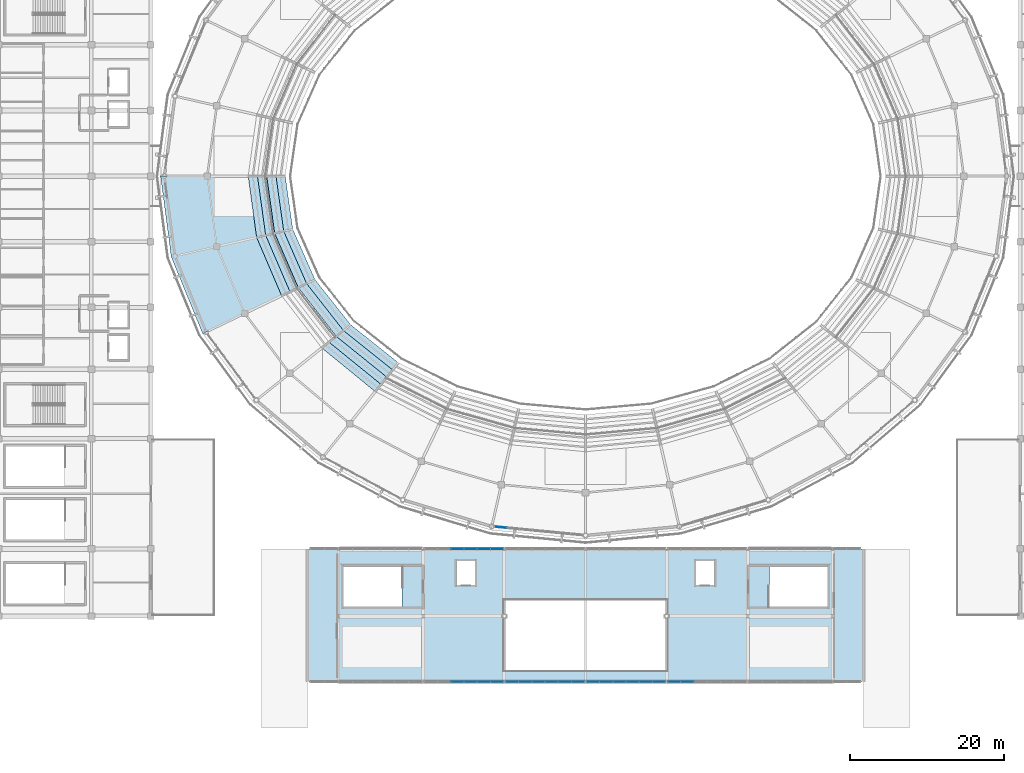
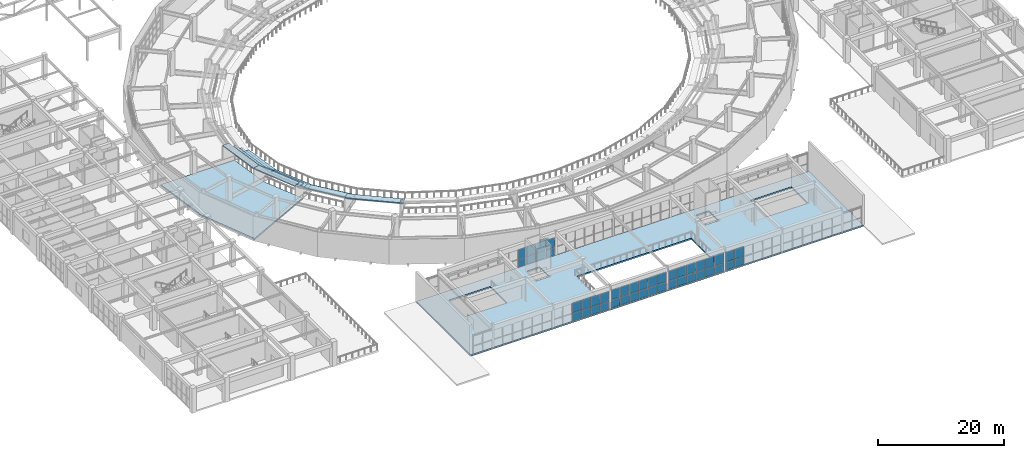
# One storey, part 79 of 122: 45 plates, 16 slabs, 6 elements without a shape of their own.
"""IFC4 building model written with IfcOpenShell, lengths in metres."""

from ifc_helpers import new_model, si_unit, direction, frame, origin, origin_2d, place, context, subcontext, project, spatial, polyline, rectangle, outline, extrude, material, layer, layer_set, type_object, element, aggregate, save


model = new_model("IFC4")

# Units and contexts
model_context = context("Model", 3, precision=1e-05, world=origin(), true_north=direction((0.0, 1.0)))
body_context = subcontext(model_context, "Body", "Model", "MODEL_VIEW")
ifc_project = project(units=[si_unit("LENGTHUNIT", "METRE"), si_unit("AREAUNIT", "SQUARE_METRE"), si_unit("VOLUMEUNIT", "CUBIC_METRE"), si_unit("PLANEANGLEUNIT", "RADIAN"), si_unit("MASSUNIT", "GRAM", prefix="KILO")], contexts=[model_context])

# Site, building, storey
site_placement = place(None, origin())
site = spatial("IfcSite", under=ifc_project, at=site_placement, CompositionType="ELEMENT")
building_placement = place(site_placement, origin())
building = spatial("IfcBuilding", under=site, at=building_placement, Name="Cuetzalor Civic Arena", CompositionType="ELEMENT")
storey_placement = place(building_placement, frame((0.0, 0.0, 16.199951171875)))
storey = spatial("IfcBuildingStorey", under=building, at=storey_placement, Name="L03", CompositionType="ELEMENT", Elevation=16.199951171875)

# Curtain wall, plate
ifc_material_1 = material(Name="Anodised dark bronze aluminium and low-E solar glass", Category="aluminium")
curtain_wall_type_1 = type_object("IfcCurtainWallType", Name="UnitisedCW_11550x3850", PredefinedType="USERDEFINED", material=ifc_material_1)
curtain_wall_1_placement = place(storey_placement, origin())
curtain_wall_1 = element("IfcCurtainWall", 1, at=curtain_wall_1_placement, inside=storey, type_object=curtain_wall_type_1, Name="Drum Triangle Foyer Curtain Wall L03-053", ObjectType="UNITISED CURTAIN WALL", PredefinedType="USERDEFINED")
ifc_material_2 = material(Name="Acoustic laminated solar control glass", Category="glass")
ifc_layer_1 = layer(ifc_material_2, 0.0439453125)
ifc_layer_set_1 = layer_set([ifc_layer_1], Name="Acoustic laminated solar control glass")
plate_type_1 = type_object("IfcPlateType", Name="AcousticTripleGlazedPanel_44", PredefinedType="CURTAIN_PANEL", material=ifc_layer_set_1)
plate_1_placement = place(storey_placement, frame((-10.98681640625, -45.49365234375, 0.065185546875), z_axis=(0.0, 0.0, 1.0), x_axis=(-0.995409139996, 0.095711253324, 0.0)))
plate_1 = element("IfcPlate", 2, at=plate_1_placement, type_object=plate_type_1, Name="CW-14 panel 7.1", PredefinedType="CURTAIN_PANEL", context=body_context, shape_type="SweptSolid", body=[
    extrude(rectangle(XDim=1.5546875, YDim=0.0439453125, at=origin_2d()), origin(), (0.0, 0.0, 1.0), 1.62646484375),
])
aggregate(curtain_wall_1, [plate_1])

# Curtain wall, plates
ifc_material_3 = material(Name="Anodised dark bronze aluminium and low-E solar glass", Category="aluminium")
curtain_wall_type_2 = type_object("IfcCurtainWallType", Name="StickCW_10250x3600", PredefinedType="USERDEFINED", material=ifc_material_3)
curtain_wall_2_placement = place(storey_placement, origin())
curtain_wall_2 = element("IfcCurtainWall", 3, at=curtain_wall_2_placement, inside=storey, type_object=curtain_wall_type_2, Name="Foyer Vault Clerestory Curtain Wall L03-093", ObjectType="STICK CURTAIN WALL", PredefinedType="USERDEFINED")
ifc_material_4 = material(Name="Low-E laminated solar control glass", Category="glass")
ifc_layer_2 = layer(ifc_material_4, 0.031982421875)
ifc_layer_set_2 = layer_set([ifc_layer_2], Name="Low-E laminated solar control glass")
plate_type_2 = type_object("IfcPlateType", Name="SolarControlGlazedPanel_32", PredefinedType="CURTAIN_PANEL", material=ifc_layer_set_2)
plate_2_placement = place(storey_placement, frame((-11.4951171875, -65.5, 0.06494140625), z_axis=(0.0, 0.0, 1.0), x_axis=(-1.0, 0.0, 0.0)))
plate_2 = element("IfcPlate", 4, at=plate_2_placement, type_object=plate_type_2, Name="CW-29 panel 1.1", PredefinedType="CURTAIN_PANEL", context=body_context, shape_type="SweptSolid", body=[
    extrude(rectangle(XDim=1.611083984375, YDim=0.031982421875, at=origin_2d()), origin(), (0.0, 0.0, 1.0), 1.531494140625),
])
plate_3_placement = place(storey_placement, frame((-11.4951171875, -65.5, 1.66162109375), z_axis=(0.0, 0.0, 1.0), x_axis=(-1.0, 0.0, 0.0)))
plate_3 = element("IfcPlate", 5, at=plate_3_placement, type_object=plate_type_2, Name="CW-29 panel 1.2", PredefinedType="CURTAIN_PANEL", context=body_context, shape_type="SweptSolid", body=[
    extrude(rectangle(XDim=1.611083984375, YDim=0.031982421875, at=origin_2d()), origin(), (0.0, 0.0, 1.0), 1.8935546875),
])
plate_4_placement = place(storey_placement, frame((-13.187255859375, -65.5, 0.06494140625), z_axis=(0.0, 0.0, 1.0), x_axis=(-1.0, 0.0, 0.0)))
plate_4 = element("IfcPlate", 6, at=plate_4_placement, type_object=plate_type_2, Name="CW-29 panel 2.1", PredefinedType="CURTAIN_PANEL", context=body_context, shape_type="SweptSolid", body=[
    extrude(rectangle(XDim=1.6435546875, YDim=0.031982421875, at=origin_2d()), origin(), (0.0, 0.0, 1.0), 1.531494140625),
])
plate_5_placement = place(storey_placement, frame((-13.187255859375, -65.5, 1.66162109375), z_axis=(0.0, 0.0, 1.0), x_axis=(-1.0, 0.0, 0.0)))
plate_5 = element("IfcPlate", 7, at=plate_5_placement, type_object=plate_type_2, Name="CW-29 panel 2.2", PredefinedType="CURTAIN_PANEL", context=body_context, shape_type="SweptSolid", body=[
    extrude(rectangle(XDim=1.6435546875, YDim=0.031982421875, at=origin_2d()), origin(), (0.0, 0.0, 1.0), 1.8935546875),
])
plate_6_placement = place(storey_placement, frame((-14.895751953125, -65.5, 0.06494140625), z_axis=(0.0, 0.0, 1.0), x_axis=(-1.0, 0.0, 0.0)))
plate_6 = element("IfcPlate", 8, at=plate_6_placement, type_object=plate_type_2, Name="CW-29 panel 3.1", PredefinedType="CURTAIN_PANEL", context=body_context, shape_type="SweptSolid", body=[
    extrude(rectangle(XDim=1.6435546875, YDim=0.031982421875, at=origin_2d()), origin(), (0.0, 0.0, 1.0), 1.531494140625),
])
plate_7_placement = place(storey_placement, frame((-14.895751953125, -65.5, 1.66162109375), z_axis=(0.0, 0.0, 1.0), x_axis=(-1.0, 0.0, 0.0)))
plate_7 = element("IfcPlate", 9, at=plate_7_placement, type_object=plate_type_2, Name="CW-29 panel 3.2", PredefinedType="CURTAIN_PANEL", context=body_context, shape_type="SweptSolid", body=[
    extrude(rectangle(XDim=1.6435546875, YDim=0.031982421875, at=origin_2d()), origin(), (0.0, 0.0, 1.0), 1.8935546875),
])
plate_8_placement = place(storey_placement, frame((-16.604248046875, -65.5, 0.06494140625), z_axis=(0.0, 0.0, 1.0), x_axis=(-1.0, 0.0, 0.0)))
plate_8 = element("IfcPlate", 10, at=plate_8_placement, type_object=plate_type_2, Name="CW-29 panel 4.1", PredefinedType="CURTAIN_PANEL", context=body_context, shape_type="SweptSolid", body=[
    extrude(rectangle(XDim=1.6435546875, YDim=0.031982421875, at=origin_2d()), origin(), (0.0, 0.0, 1.0), 1.531494140625),
])
plate_9_placement = place(storey_placement, frame((-16.604248046875, -65.5, 1.66162109375), z_axis=(0.0, 0.0, 1.0), x_axis=(-1.0, 0.0, 0.0)))
plate_9 = element("IfcPlate", 11, at=plate_9_placement, type_object=plate_type_2, Name="CW-29 panel 4.2", PredefinedType="CURTAIN_PANEL", context=body_context, shape_type="SweptSolid", body=[
    extrude(rectangle(XDim=1.6435546875, YDim=0.031982421875, at=origin_2d()), origin(), (0.0, 0.0, 1.0), 1.8935546875),
])
aggregate(curtain_wall_2, [plate_2, plate_3, plate_4, plate_5, plate_6, plate_7, plate_8, plate_9])

curtain_wall_3_placement = place(storey_placement, origin())
curtain_wall_3 = element("IfcCurtainWall", 12, at=curtain_wall_3_placement, inside=storey, type_object=curtain_wall_type_2, Name="Foyer North Clerestory Curtain Wall L03-094", ObjectType="STICK CURTAIN WALL", PredefinedType="USERDEFINED")
plate_10_placement = place(storey_placement, frame((-16.604248046875, -48.300048828125, 0.06494140625), z_axis=(0.0, 0.0, 1.0), x_axis=(1.0, 0.0, 0.0)))
plate_10 = element("IfcPlate", 13, at=plate_10_placement, type_object=plate_type_2, Name="CW-29 panel 3.1", PredefinedType="CURTAIN_PANEL", context=body_context, shape_type="SweptSolid", body=[
    extrude(rectangle(XDim=1.6435546875, YDim=0.031982421875, at=origin_2d()), origin(), (0.0, 0.0, 1.0), 1.531494140625),
])
plate_11_placement = place(storey_placement, frame((-16.604248046875, -48.300048828125, 1.66162109375), z_axis=(0.0, 0.0, 1.0), x_axis=(1.0, 0.0, 0.0)))
plate_11 = element("IfcPlate", 14, at=plate_11_placement, type_object=plate_type_2, Name="CW-29 panel 3.2", PredefinedType="CURTAIN_PANEL", context=body_context, shape_type="SweptSolid", body=[
    extrude(rectangle(XDim=1.6435546875, YDim=0.031982421875, at=origin_2d()), origin(), (0.0, 0.0, 1.0), 1.8935546875),
])
plate_12_placement = place(storey_placement, frame((-14.895751953125, -48.300048828125, 0.06494140625), z_axis=(0.0, 0.0, 1.0), x_axis=(1.0, 0.0, 0.0)))
plate_12 = element("IfcPlate", 15, at=plate_12_placement, type_object=plate_type_2, Name="CW-29 panel 4.1", PredefinedType="CURTAIN_PANEL", context=body_context, shape_type="SweptSolid", body=[
    extrude(rectangle(XDim=1.6435546875, YDim=0.031982421875, at=origin_2d()), origin(), (0.0, 0.0, 1.0), 1.531494140625),
])
plate_13_placement = place(storey_placement, frame((-14.895751953125, -48.300048828125, 1.66162109375), z_axis=(0.0, 0.0, 1.0), x_axis=(1.0, 0.0, 0.0)))
plate_13 = element("IfcPlate", 16, at=plate_13_placement, type_object=plate_type_2, Name="CW-29 panel 4.2", PredefinedType="CURTAIN_PANEL", context=body_context, shape_type="SweptSolid", body=[
    extrude(rectangle(XDim=1.6435546875, YDim=0.031982421875, at=origin_2d()), origin(), (0.0, 0.0, 1.0), 1.8935546875),
])
plate_14_placement = place(storey_placement, frame((-13.187255859375, -48.300048828125, 0.06494140625), z_axis=(0.0, 0.0, 1.0), x_axis=(1.0, 0.0, 0.0)))
plate_14 = element("IfcPlate", 17, at=plate_14_placement, type_object=plate_type_2, Name="CW-29 panel 5.1", PredefinedType="CURTAIN_PANEL", context=body_context, shape_type="SweptSolid", body=[
    extrude(rectangle(XDim=1.6435546875, YDim=0.031982421875, at=origin_2d()), origin(), (0.0, 0.0, 1.0), 1.531494140625),
])
plate_15_placement = place(storey_placement, frame((-13.187255859375, -48.300048828125, 1.66162109375), z_axis=(0.0, 0.0, 1.0), x_axis=(1.0, 0.0, 0.0)))
plate_15 = element("IfcPlate", 18, at=plate_15_placement, type_object=plate_type_2, Name="CW-29 panel 5.2", PredefinedType="CURTAIN_PANEL", context=body_context, shape_type="SweptSolid", body=[
    extrude(rectangle(XDim=1.6435546875, YDim=0.031982421875, at=origin_2d()), origin(), (0.0, 0.0, 1.0), 1.8935546875),
])
plate_16_placement = place(storey_placement, frame((-11.4951171875, -48.300048828125, 0.06494140625), z_axis=(0.0, 0.0, 1.0), x_axis=(1.0, 0.0, 0.0)))
plate_16 = element("IfcPlate", 19, at=plate_16_placement, type_object=plate_type_2, Name="CW-29 panel 6.1", PredefinedType="CURTAIN_PANEL", context=body_context, shape_type="SweptSolid", body=[
    extrude(rectangle(XDim=1.611083984375, YDim=0.031982421875, at=origin_2d()), origin(), (0.0, 0.0, 1.0), 1.531494140625),
])
plate_17_placement = place(storey_placement, frame((-11.4951171875, -48.300048828125, 1.66162109375), z_axis=(0.0, 0.0, 1.0), x_axis=(1.0, 0.0, 0.0)))
plate_17 = element("IfcPlate", 20, at=plate_17_placement, type_object=plate_type_2, Name="CW-29 panel 6.2", PredefinedType="CURTAIN_PANEL", context=body_context, shape_type="SweptSolid", body=[
    extrude(rectangle(XDim=1.611083984375, YDim=0.031982421875, at=origin_2d()), origin(), (0.0, 0.0, 1.0), 1.8935546875),
])
aggregate(curtain_wall_3, [plate_10, plate_11, plate_12, plate_13, plate_14, plate_15, plate_16, plate_17])

ifc_material_5 = material(Name="Anodised dark bronze aluminium and low-E solar glass", Category="aluminium")
curtain_wall_type_3 = type_object("IfcCurtainWallType", Name="StickCW_10250x3700", PredefinedType="USERDEFINED", material=ifc_material_5)
curtain_wall_4_placement = place(storey_placement, origin())
curtain_wall_4 = element("IfcCurtainWall", 21, at=curtain_wall_4_placement, inside=storey, type_object=curtain_wall_type_3, Name="Foyer Vault Clerestory Curtain Wall L03-095", ObjectType="STICK CURTAIN WALL", PredefinedType="USERDEFINED")
plate_18_placement = place(storey_placement, frame((-0.9951171875, -65.5, 0.06494140625), z_axis=(0.0, 0.0, 1.0), x_axis=(-1.0, 0.0, 0.0)))
plate_18 = element("IfcPlate", 22, at=plate_18_placement, type_object=plate_type_2, Name="CW-30 panel 1.1", PredefinedType="CURTAIN_PANEL", context=body_context, shape_type="SweptSolid", body=[
    extrude(rectangle(XDim=1.611083984375, YDim=0.031982421875, at=origin_2d()), origin(), (0.0, 0.0, 1.0), 1.576416015625),
])
plate_19_placement = place(storey_placement, frame((-0.9951171875, -65.5, 1.70654296875), z_axis=(0.0, 0.0, 1.0), x_axis=(-1.0, 0.0, 0.0)))
plate_19 = element("IfcPlate", 23, at=plate_19_placement, type_object=plate_type_2, Name="CW-30 panel 1.2", PredefinedType="CURTAIN_PANEL", context=body_context, shape_type="SweptSolid", body=[
    extrude(rectangle(XDim=1.611083984375, YDim=0.031982421875, at=origin_2d()), origin(), (0.0, 0.0, 1.0), 1.948486328125),
])
plate_20_placement = place(storey_placement, frame((-2.687255859375, -65.5, 0.06494140625), z_axis=(0.0, 0.0, 1.0), x_axis=(-1.0, 0.0, 0.0)))
plate_20 = element("IfcPlate", 24, at=plate_20_placement, type_object=plate_type_2, Name="CW-30 panel 2.1", PredefinedType="CURTAIN_PANEL", context=body_context, shape_type="SweptSolid", body=[
    extrude(rectangle(XDim=1.6435546875, YDim=0.031982421875, at=origin_2d()), origin(), (0.0, 0.0, 1.0), 1.576416015625),
])
plate_21_placement = place(storey_placement, frame((-2.687255859375, -65.5, 1.70654296875), z_axis=(0.0, 0.0, 1.0), x_axis=(-1.0, 0.0, 0.0)))
plate_21 = element("IfcPlate", 25, at=plate_21_placement, type_object=plate_type_2, Name="CW-30 panel 2.2", PredefinedType="CURTAIN_PANEL", context=body_context, shape_type="SweptSolid", body=[
    extrude(rectangle(XDim=1.6435546875, YDim=0.031982421875, at=origin_2d()), origin(), (0.0, 0.0, 1.0), 1.948486328125),
])
plate_22_placement = place(storey_placement, frame((-4.395751953125, -65.5, 0.06494140625), z_axis=(0.0, 0.0, 1.0), x_axis=(-1.0, 0.0, 0.0)))
plate_22 = element("IfcPlate", 26, at=plate_22_placement, type_object=plate_type_2, Name="CW-30 panel 3.1", PredefinedType="CURTAIN_PANEL", context=body_context, shape_type="SweptSolid", body=[
    extrude(rectangle(XDim=1.6435546875, YDim=0.031982421875, at=origin_2d()), origin(), (0.0, 0.0, 1.0), 1.576416015625),
])
plate_23_placement = place(storey_placement, frame((-4.395751953125, -65.5, 1.70654296875), z_axis=(0.0, 0.0, 1.0), x_axis=(-1.0, 0.0, 0.0)))
plate_23 = element("IfcPlate", 27, at=plate_23_placement, type_object=plate_type_2, Name="CW-30 panel 3.2", PredefinedType="CURTAIN_PANEL", context=body_context, shape_type="SweptSolid", body=[
    extrude(rectangle(XDim=1.6435546875, YDim=0.031982421875, at=origin_2d()), origin(), (0.0, 0.0, 1.0), 1.948486328125),
])
plate_24_placement = place(storey_placement, frame((-6.104248046875, -65.5, 0.06494140625), z_axis=(0.0, 0.0, 1.0), x_axis=(-1.0, 0.0, 0.0)))
plate_24 = element("IfcPlate", 28, at=plate_24_placement, type_object=plate_type_2, Name="CW-30 panel 4.1", PredefinedType="CURTAIN_PANEL", context=body_context, shape_type="SweptSolid", body=[
    extrude(rectangle(XDim=1.6435546875, YDim=0.031982421875, at=origin_2d()), origin(), (0.0, 0.0, 1.0), 1.576416015625),
])
plate_25_placement = place(storey_placement, frame((-6.104248046875, -65.5, 1.70654296875), z_axis=(0.0, 0.0, 1.0), x_axis=(-1.0, 0.0, 0.0)))
plate_25 = element("IfcPlate", 29, at=plate_25_placement, type_object=plate_type_2, Name="CW-30 panel 4.2", PredefinedType="CURTAIN_PANEL", context=body_context, shape_type="SweptSolid", body=[
    extrude(rectangle(XDim=1.6435546875, YDim=0.031982421875, at=origin_2d()), origin(), (0.0, 0.0, 1.0), 1.948486328125),
])
plate_26_placement = place(storey_placement, frame((-7.812744140625, -65.5, 0.06494140625), z_axis=(0.0, 0.0, 1.0), x_axis=(-1.0, 0.0, 0.0)))
plate_26 = element("IfcPlate", 30, at=plate_26_placement, type_object=plate_type_2, Name="CW-30 panel 5.1", PredefinedType="CURTAIN_PANEL", context=body_context, shape_type="SweptSolid", body=[
    extrude(rectangle(XDim=1.6435546875, YDim=0.031982421875, at=origin_2d()), origin(), (0.0, 0.0, 1.0), 1.576416015625),
])
plate_27_placement = place(storey_placement, frame((-7.812744140625, -65.5, 1.70654296875), z_axis=(0.0, 0.0, 1.0), x_axis=(-1.0, 0.0, 0.0)))
plate_27 = element("IfcPlate", 31, at=plate_27_placement, type_object=plate_type_2, Name="CW-30 panel 5.2", PredefinedType="CURTAIN_PANEL", context=body_context, shape_type="SweptSolid", body=[
    extrude(rectangle(XDim=1.6435546875, YDim=0.031982421875, at=origin_2d()), origin(), (0.0, 0.0, 1.0), 1.948486328125),
])
plate_28_placement = place(storey_placement, frame((-9.5048828125, -65.5, 0.06494140625), z_axis=(0.0, 0.0, 1.0), x_axis=(-1.0, 0.0, 0.0)))
plate_28 = element("IfcPlate", 32, at=plate_28_placement, type_object=plate_type_2, Name="CW-30 panel 6.1", PredefinedType="CURTAIN_PANEL", context=body_context, shape_type="SweptSolid", body=[
    extrude(rectangle(XDim=1.611083984375, YDim=0.031982421875, at=origin_2d()), origin(), (0.0, 0.0, 1.0), 1.576416015625),
])
plate_29_placement = place(storey_placement, frame((-9.5048828125, -65.5, 1.70654296875), z_axis=(0.0, 0.0, 1.0), x_axis=(-1.0, 0.0, 0.0)))
plate_29 = element("IfcPlate", 33, at=plate_29_placement, type_object=plate_type_2, Name="CW-30 panel 6.2", PredefinedType="CURTAIN_PANEL", context=body_context, shape_type="SweptSolid", body=[
    extrude(rectangle(XDim=1.611083984375, YDim=0.031982421875, at=origin_2d()), origin(), (0.0, 0.0, 1.0), 1.948486328125),
])
aggregate(curtain_wall_4, [plate_18, plate_19, plate_20, plate_21, plate_22, plate_23, plate_24, plate_25, plate_26, plate_27, plate_28, plate_29])

curtain_wall_5_placement = place(storey_placement, origin())
curtain_wall_5 = element("IfcCurtainWall", 34, at=curtain_wall_5_placement, inside=storey, type_object=curtain_wall_type_3, Name="Foyer Vault Clerestory Curtain Wall L03-097", ObjectType="STICK CURTAIN WALL", PredefinedType="USERDEFINED")
plate_30_placement = place(storey_placement, frame((9.5048828125, -65.5, 0.06494140625), z_axis=(0.0, 0.0, 1.0), x_axis=(-1.0, 0.0, 0.0)))
plate_30 = element("IfcPlate", 35, at=plate_30_placement, type_object=plate_type_2, Name="CW-30 panel 1.1", PredefinedType="CURTAIN_PANEL", context=body_context, shape_type="SweptSolid", body=[
    extrude(rectangle(XDim=1.611083984375, YDim=0.031982421875, at=origin_2d()), origin(), (0.0, 0.0, 1.0), 1.576416015625),
])
plate_31_placement = place(storey_placement, frame((9.5048828125, -65.5, 1.70654296875), z_axis=(0.0, 0.0, 1.0), x_axis=(-1.0, 0.0, 0.0)))
plate_31 = element("IfcPlate", 36, at=plate_31_placement, type_object=plate_type_2, Name="CW-30 panel 1.2", PredefinedType="CURTAIN_PANEL", context=body_context, shape_type="SweptSolid", body=[
    extrude(rectangle(XDim=1.611083984375, YDim=0.031982421875, at=origin_2d()), origin(), (0.0, 0.0, 1.0), 1.948486328125),
])
plate_32_placement = place(storey_placement, frame((7.812744140625, -65.5, 0.06494140625), z_axis=(0.0, 0.0, 1.0), x_axis=(-1.0, 0.0, 0.0)))
plate_32 = element("IfcPlate", 37, at=plate_32_placement, type_object=plate_type_2, Name="CW-30 panel 2.1", PredefinedType="CURTAIN_PANEL", context=body_context, shape_type="SweptSolid", body=[
    extrude(rectangle(XDim=1.6435546875, YDim=0.031982421875, at=origin_2d()), origin(), (0.0, 0.0, 1.0), 1.576416015625),
])
plate_33_placement = place(storey_placement, frame((7.812744140625, -65.5, 1.70654296875), z_axis=(0.0, 0.0, 1.0), x_axis=(-1.0, 0.0, 0.0)))
plate_33 = element("IfcPlate", 38, at=plate_33_placement, type_object=plate_type_2, Name="CW-30 panel 2.2", PredefinedType="CURTAIN_PANEL", context=body_context, shape_type="SweptSolid", body=[
    extrude(rectangle(XDim=1.6435546875, YDim=0.031982421875, at=origin_2d()), origin(), (0.0, 0.0, 1.0), 1.948486328125),
])
plate_34_placement = place(storey_placement, frame((6.104248046875, -65.5, 0.06494140625), z_axis=(0.0, 0.0, 1.0), x_axis=(-1.0, 0.0, 0.0)))
plate_34 = element("IfcPlate", 39, at=plate_34_placement, type_object=plate_type_2, Name="CW-30 panel 3.1", PredefinedType="CURTAIN_PANEL", context=body_context, shape_type="SweptSolid", body=[
    extrude(rectangle(XDim=1.6435546875, YDim=0.031982421875, at=origin_2d()), origin(), (0.0, 0.0, 1.0), 1.576416015625),
])
plate_35_placement = place(storey_placement, frame((6.104248046875, -65.5, 1.70654296875), z_axis=(0.0, 0.0, 1.0), x_axis=(-1.0, 0.0, 0.0)))
plate_35 = element("IfcPlate", 40, at=plate_35_placement, type_object=plate_type_2, Name="CW-30 panel 3.2", PredefinedType="CURTAIN_PANEL", context=body_context, shape_type="SweptSolid", body=[
    extrude(rectangle(XDim=1.6435546875, YDim=0.031982421875, at=origin_2d()), origin(), (0.0, 0.0, 1.0), 1.948486328125),
])
plate_36_placement = place(storey_placement, frame((4.395751953125, -65.5, 0.06494140625), z_axis=(0.0, 0.0, 1.0), x_axis=(-1.0, 0.0, 0.0)))
plate_36 = element("IfcPlate", 41, at=plate_36_placement, type_object=plate_type_2, Name="CW-30 panel 4.1", PredefinedType="CURTAIN_PANEL", context=body_context, shape_type="SweptSolid", body=[
    extrude(rectangle(XDim=1.6435546875, YDim=0.031982421875, at=origin_2d()), origin(), (0.0, 0.0, 1.0), 1.576416015625),
])
plate_37_placement = place(storey_placement, frame((4.395751953125, -65.5, 1.70654296875), z_axis=(0.0, 0.0, 1.0), x_axis=(-1.0, 0.0, 0.0)))
plate_37 = element("IfcPlate", 42, at=plate_37_placement, type_object=plate_type_2, Name="CW-30 panel 4.2", PredefinedType="CURTAIN_PANEL", context=body_context, shape_type="SweptSolid", body=[
    extrude(rectangle(XDim=1.6435546875, YDim=0.031982421875, at=origin_2d()), origin(), (0.0, 0.0, 1.0), 1.948486328125),
])
plate_38_placement = place(storey_placement, frame((2.687255859375, -65.5, 0.06494140625), z_axis=(0.0, 0.0, 1.0), x_axis=(-1.0, 0.0, 0.0)))
plate_38 = element("IfcPlate", 43, at=plate_38_placement, type_object=plate_type_2, Name="CW-30 panel 5.1", PredefinedType="CURTAIN_PANEL", context=body_context, shape_type="SweptSolid", body=[
    extrude(rectangle(XDim=1.6435546875, YDim=0.031982421875, at=origin_2d()), origin(), (0.0, 0.0, 1.0), 1.576416015625),
])
plate_39_placement = place(storey_placement, frame((2.687255859375, -65.5, 1.70654296875), z_axis=(0.0, 0.0, 1.0), x_axis=(-1.0, 0.0, 0.0)))
plate_39 = element("IfcPlate", 44, at=plate_39_placement, type_object=plate_type_2, Name="CW-30 panel 5.2", PredefinedType="CURTAIN_PANEL", context=body_context, shape_type="SweptSolid", body=[
    extrude(rectangle(XDim=1.6435546875, YDim=0.031982421875, at=origin_2d()), origin(), (0.0, 0.0, 1.0), 1.948486328125),
])
plate_40_placement = place(storey_placement, frame((0.9951171875, -65.5, 0.06494140625), z_axis=(0.0, 0.0, 1.0), x_axis=(-1.0, 0.0, 0.0)))
plate_40 = element("IfcPlate", 45, at=plate_40_placement, type_object=plate_type_2, Name="CW-30 panel 6.1", PredefinedType="CURTAIN_PANEL", context=body_context, shape_type="SweptSolid", body=[
    extrude(rectangle(XDim=1.611083984375, YDim=0.031982421875, at=origin_2d()), origin(), (0.0, 0.0, 1.0), 1.576416015625),
])
plate_41_placement = place(storey_placement, frame((0.9951171875, -65.5, 1.70654296875), z_axis=(0.0, 0.0, 1.0), x_axis=(-1.0, 0.0, 0.0)))
plate_41 = element("IfcPlate", 46, at=plate_41_placement, type_object=plate_type_2, Name="CW-30 panel 6.2", PredefinedType="CURTAIN_PANEL", context=body_context, shape_type="SweptSolid", body=[
    extrude(rectangle(XDim=1.611083984375, YDim=0.031982421875, at=origin_2d()), origin(), (0.0, 0.0, 1.0), 1.948486328125),
])
aggregate(curtain_wall_5, [plate_30, plate_31, plate_32, plate_33, plate_34, plate_35, plate_36, plate_37, plate_38, plate_39, plate_40, plate_41])

curtain_wall_6_placement = place(storey_placement, origin())
curtain_wall_6 = element("IfcCurtainWall", 47, at=curtain_wall_6_placement, inside=storey, type_object=curtain_wall_type_2, Name="Foyer Vault Clerestory Curtain Wall L03-099", ObjectType="STICK CURTAIN WALL", PredefinedType="USERDEFINED")
plate_42_placement = place(storey_placement, frame((13.187255859375, -65.5, 0.06494140625), z_axis=(0.0, 0.0, 1.0), x_axis=(-1.0, 0.0, 0.0)))
plate_42 = element("IfcPlate", 48, at=plate_42_placement, type_object=plate_type_2, Name="CW-29 panel 5.1", PredefinedType="CURTAIN_PANEL", context=body_context, shape_type="SweptSolid", body=[
    extrude(rectangle(XDim=1.6435546875, YDim=0.031982421875, at=origin_2d()), origin(), (0.0, 0.0, 1.0), 1.531494140625),
])
plate_43_placement = place(storey_placement, frame((13.187255859375, -65.5, 1.66162109375), z_axis=(0.0, 0.0, 1.0), x_axis=(-1.0, 0.0, 0.0)))
plate_43 = element("IfcPlate", 49, at=plate_43_placement, type_object=plate_type_2, Name="CW-29 panel 5.2", PredefinedType="CURTAIN_PANEL", context=body_context, shape_type="SweptSolid", body=[
    extrude(rectangle(XDim=1.6435546875, YDim=0.031982421875, at=origin_2d()), origin(), (0.0, 0.0, 1.0), 1.8935546875),
])
plate_44_placement = place(storey_placement, frame((11.4951171875, -65.5, 0.06494140625), z_axis=(0.0, 0.0, 1.0), x_axis=(-1.0, 0.0, 0.0)))
plate_44 = element("IfcPlate", 50, at=plate_44_placement, type_object=plate_type_2, Name="CW-29 panel 6.1", PredefinedType="CURTAIN_PANEL", context=body_context, shape_type="SweptSolid", body=[
    extrude(rectangle(XDim=1.611083984375, YDim=0.031982421875, at=origin_2d()), origin(), (0.0, 0.0, 1.0), 1.531494140625),
])
plate_45_placement = place(storey_placement, frame((11.4951171875, -65.5, 1.66162109375), z_axis=(0.0, 0.0, 1.0), x_axis=(-1.0, 0.0, 0.0)))
plate_45 = element("IfcPlate", 51, at=plate_45_placement, type_object=plate_type_2, Name="CW-29 panel 6.2", PredefinedType="CURTAIN_PANEL", context=body_context, shape_type="SweptSolid", body=[
    extrude(rectangle(XDim=1.611083984375, YDim=0.031982421875, at=origin_2d()), origin(), (0.0, 0.0, 1.0), 1.8935546875),
])
aggregate(curtain_wall_6, [plate_42, plate_43, plate_44, plate_45])

# Slabs
ifc_material_6 = material(Name="Concrete C35/45", Category="concrete")
ifc_layer_3 = layer(ifc_material_6, 0.280029296875)
ifc_layer_set_3 = layer_set([ifc_layer_3], Name="Concrete C35/45")
slab_type_1 = type_object("IfcSlabType", Name="SuspendedFloorSlab_280", PredefinedType="FLOOR", material=ifc_layer_set_3)
slab_1_placement = place(storey_placement, frame((0.0, 0.0, -0.280029296875)))
element("IfcSlab", 52, at=slab_1_placement, inside=storey, type_object=slab_type_1, Name="Arena Concourse Sector Slab L03-08", PredefinedType="FLOOR", context=body_context, shape_type="SweptSolid", body=[
    extrude(outline(polyline([(-41.5, 0.0), (-40.45947265625, -7.45458984375), (-37.39013671875, -14.53515625), (-49.598388671875, -20.414306640625), (-53.669921875, -10.469482421875), (-55.050048828125, 0.0), (-41.5, 0.0)])), origin(), (0.0, 0.0, 1.0), 0.280029296875),
])
slab_2_placement = place(storey_placement, frame((0.0, 0.0, -0.280029296875)))
element("IfcSlab", 53, at=slab_2_placement, inside=storey, type_object=slab_type_1, Name="South Foyer Gallery Floor Slab L03", PredefinedType="FLOOR", context=body_context, shape_type="SweptSolid", body=[
    extrude(outline(polyline([(-36.0, -65.5), (36.0, -65.5), (36.0, -48.300048828125), (-36.0, -48.300048828125), (-36.0, -65.5)]), holes=[polyline([(-31.39990234375, -55.800048828125), (-23.800048828125, -55.800048828125), (-23.800048828125, -50.60009765625), (-31.39990234375, -50.60009765625), (-31.39990234375, -55.800048828125)]), polyline([(23.800048828125, -55.800048828125), (31.39990234375, -55.800048828125), (31.39990234375, -50.60009765625), (23.800048828125, -50.60009765625), (23.800048828125, -55.800048828125)]), polyline([(-16.699951171875, -52.949951171875), (-14.300048828125, -52.949951171875), (-14.300048828125, -49.85009765625), (-16.699951171875, -49.85009765625), (-16.699951171875, -52.949951171875)]), polyline([(14.300048828125, -52.949951171875), (16.699951171875, -52.949951171875), (16.699951171875, -49.85009765625), (14.300048828125, -49.85009765625), (14.300048828125, -52.949951171875)]), polyline([(-10.5, -64.0), (10.5, -64.0), (10.5, -55.0), (-10.5, -55.0), (-10.5, -64.0)])]), origin(), (0.0, 0.0, 1.0), 0.280029296875),
])
ifc_material_7 = material(Name="Precast concrete C45/55", Category="concrete")
ifc_layer_4 = layer(ifc_material_7, 0.195068359375)
ifc_layer_set_4 = layer_set([ifc_layer_4], Name="Precast concrete C45/55")
slab_type_2 = type_object("IfcSlabType", Name="UpperBowlSeatingTier_160", PredefinedType="USERDEFINED", material=ifc_layer_set_4)
slab_3_placement = place(storey_placement, frame((0.0, 0.0, 0.9111328125)))
element("IfcSlab", 54, at=slab_3_placement, inside=storey, type_object=slab_type_2, Name="Stand Upper Tier Bay 15 Row 1", ObjectType="SEATING TIER", PredefinedType="USERDEFINED", context=body_context, shape_type="SweptSolid", body=[
    extrude(outline(polyline([(-38.89990234375, 0.0), (-37.9248046875, -6.8759765625), (-39.094482421875, -7.142822265625), (-40.10009765625, 0.0), (-38.89990234375, 0.0)])), origin(), (0.0, 0.0, 1.0), 0.19482421875),
])
slab_4_placement = place(storey_placement, frame((0.0, 0.0, 1.755126953125)))
element("IfcSlab", 55, at=slab_4_placement, inside=storey, type_object=slab_type_2, Name="Stand Upper Tier Bay 15 Row 2", ObjectType="SEATING TIER", PredefinedType="USERDEFINED", context=body_context, shape_type="SweptSolid", body=[
    extrude(outline(polyline([(-40.10009765625, 0.0), (-39.094482421875, -7.142822265625), (-40.264404296875, -7.409912109375), (-41.300048828125, 0.0), (-40.10009765625, 0.0)])), origin(), (0.0, 0.0, 1.0), 0.19482421875),
])
slab_5_placement = place(storey_placement, frame((0.0, 0.0, 2.60498046875)))
element("IfcSlab", 56, at=slab_5_placement, inside=storey, type_object=slab_type_2, Name="Stand Upper Tier Bay 15 Row 3", ObjectType="SEATING TIER", PredefinedType="USERDEFINED", context=body_context, shape_type="SweptSolid", body=[
    extrude(outline(polyline([(-41.300048828125, 0.0), (-40.264404296875, -7.409912109375), (-41.434326171875, -7.677001953125), (-42.5, 0.0), (-41.300048828125, 0.0)])), origin(), (0.0, 0.0, 1.0), 0.195068359375),
])
slab_6_placement = place(storey_placement, frame((0.0, 0.0, 3.455078125)))
element("IfcSlab", 57, at=slab_6_placement, inside=storey, type_object=slab_type_2, Name="Stand Upper Tier Bay 15 Row 4", ObjectType="SEATING TIER", PredefinedType="USERDEFINED", context=body_context, shape_type="SweptSolid", body=[
    extrude(outline(polyline([(-42.5, 0.0), (-41.434326171875, -7.677001953125), (-42.604248046875, -7.944091796875), (-43.699951171875, 0.0), (-42.5, 0.0)])), origin(), (0.0, 0.0, 1.0), 0.195068359375),
])
slab_7_placement = place(storey_placement, frame((0.0, 0.0, 0.9111328125)))
element("IfcSlab", 58, at=slab_7_placement, inside=storey, type_object=slab_type_2, Name="Stand Upper Tier Bay 16 Row 1", ObjectType="SEATING TIER", PredefinedType="USERDEFINED", context=body_context, shape_type="SweptSolid", body=[
    extrude(outline(polyline([(-37.9248046875, -6.8759765625), (-35.047607421875, -13.406982421875), (-36.12890625, -13.927734375), (-39.094482421875, -7.142822265625), (-37.9248046875, -6.8759765625)])), origin(), (0.0, 0.0, 1.0), 0.19482421875),
])
slab_8_placement = place(storey_placement, frame((0.0, 0.0, 1.755126953125)))
element("IfcSlab", 59, at=slab_8_placement, inside=storey, type_object=slab_type_2, Name="Stand Upper Tier Bay 16 Row 2", ObjectType="SEATING TIER", PredefinedType="USERDEFINED", context=body_context, shape_type="SweptSolid", body=[
    extrude(outline(polyline([(-39.094482421875, -7.142822265625), (-36.12890625, -13.927734375), (-37.2099609375, -14.4482421875), (-40.264404296875, -7.409912109375), (-39.094482421875, -7.142822265625)])), origin(), (0.0, 0.0, 1.0), 0.19482421875),
])
slab_9_placement = place(storey_placement, frame((0.0, 0.0, 2.60498046875)))
element("IfcSlab", 60, at=slab_9_placement, inside=storey, type_object=slab_type_2, Name="Stand Upper Tier Bay 16 Row 3", ObjectType="SEATING TIER", PredefinedType="USERDEFINED", context=body_context, shape_type="SweptSolid", body=[
    extrude(outline(polyline([(-40.264404296875, -7.409912109375), (-37.2099609375, -14.4482421875), (-38.291259765625, -14.968994140625), (-41.434326171875, -7.677001953125), (-40.264404296875, -7.409912109375)])), origin(), (0.0, 0.0, 1.0), 0.195068359375),
])
slab_10_placement = place(storey_placement, frame((0.0, 0.0, 3.455078125)))
element("IfcSlab", 61, at=slab_10_placement, inside=storey, type_object=slab_type_2, Name="Stand Upper Tier Bay 16 Row 4", ObjectType="SEATING TIER", PredefinedType="USERDEFINED", context=body_context, shape_type="SweptSolid", body=[
    extrude(outline(polyline([(-41.434326171875, -7.677001953125), (-38.291259765625, -14.968994140625), (-39.372314453125, -15.489501953125), (-42.604248046875, -7.944091796875), (-41.434326171875, -7.677001953125)])), origin(), (0.0, 0.0, 1.0), 0.195068359375),
])
slab_11_placement = place(storey_placement, frame((0.0, 0.0, 0.9111328125)))
element("IfcSlab", 62, at=slab_11_placement, inside=storey, type_object=slab_type_2, Name="Stand Upper Tier Bay 17 Row 1", ObjectType="SEATING TIER", PredefinedType="USERDEFINED", context=body_context, shape_type="SweptSolid", body=[
    extrude(outline(polyline([(-35.047607421875, -13.406982421875), (-30.4130859375, -19.265869140625), (-31.351318359375, -20.013916015625), (-36.12890625, -13.927734375), (-35.047607421875, -13.406982421875)])), origin(), (0.0, 0.0, 1.0), 0.19482421875),
])
slab_12_placement = place(storey_placement, frame((0.0, 0.0, 1.755126953125)))
element("IfcSlab", 63, at=slab_12_placement, inside=storey, type_object=slab_type_2, Name="Stand Upper Tier Bay 17 Row 2", ObjectType="SEATING TIER", PredefinedType="USERDEFINED", context=body_context, shape_type="SweptSolid", body=[
    extrude(outline(polyline([(-36.12890625, -13.927734375), (-31.351318359375, -20.013916015625), (-32.28955078125, -20.76220703125), (-37.2099609375, -14.4482421875), (-36.12890625, -13.927734375)])), origin(), (0.0, 0.0, 1.0), 0.19482421875),
])
slab_13_placement = place(storey_placement, frame((0.0, 0.0, 0.9111328125)))
element("IfcSlab", 64, at=slab_13_placement, inside=storey, type_object=slab_type_2, Name="Stand Upper Tier Bay 18 Row 1", ObjectType="SEATING TIER", PredefinedType="USERDEFINED", context=body_context, shape_type="SweptSolid", body=[
    extrude(outline(polyline([(-30.4130859375, -19.265869140625), (-24.25390625, -24.15869140625), (-25.001953125, -25.0966796875), (-31.351318359375, -20.013916015625), (-30.4130859375, -19.265869140625)])), origin(), (0.0, 0.0, 1.0), 0.19482421875),
])
slab_14_placement = place(storey_placement, frame((0.0, 0.0, 1.755126953125)))
element("IfcSlab", 65, at=slab_14_placement, inside=storey, type_object=slab_type_2, Name="Stand Upper Tier Bay 18 Row 2", ObjectType="SEATING TIER", PredefinedType="USERDEFINED", context=body_context, shape_type="SweptSolid", body=[
    extrude(outline(polyline([(-31.351318359375, -20.013916015625), (-25.001953125, -25.0966796875), (-25.75, -26.034912109375), (-32.28955078125, -20.76220703125), (-31.351318359375, -20.013916015625)])), origin(), (0.0, 0.0, 1.0), 0.19482421875),
])
slab_15_placement = place(storey_placement, frame((0.0, 0.0, 2.60498046875)))
element("IfcSlab", 66, at=slab_15_placement, inside=storey, type_object=slab_type_2, Name="Stand Upper Tier Bay 18 Row 3", ObjectType="SEATING TIER", PredefinedType="USERDEFINED", context=body_context, shape_type="SweptSolid", body=[
    extrude(outline(polyline([(-32.28955078125, -20.76220703125), (-25.75, -26.034912109375), (-26.498291015625, -26.97314453125), (-33.227783203125, -21.510498046875), (-32.28955078125, -20.76220703125)])), origin(), (0.0, 0.0, 1.0), 0.195068359375),
])
slab_16_placement = place(storey_placement, frame((0.0, 0.0, 3.455078125)))
element("IfcSlab", 67, at=slab_16_placement, inside=storey, type_object=slab_type_2, Name="Stand Upper Tier Bay 18 Row 4", ObjectType="SEATING TIER", PredefinedType="USERDEFINED", context=body_context, shape_type="SweptSolid", body=[
    extrude(outline(polyline([(-33.227783203125, -21.510498046875), (-26.498291015625, -26.97314453125), (-27.24658203125, -27.911376953125), (-34.166015625, -22.258544921875), (-33.227783203125, -21.510498046875)])), origin(), (0.0, 0.0, 1.0), 0.195068359375),
])

save(model, "model.ifc")
